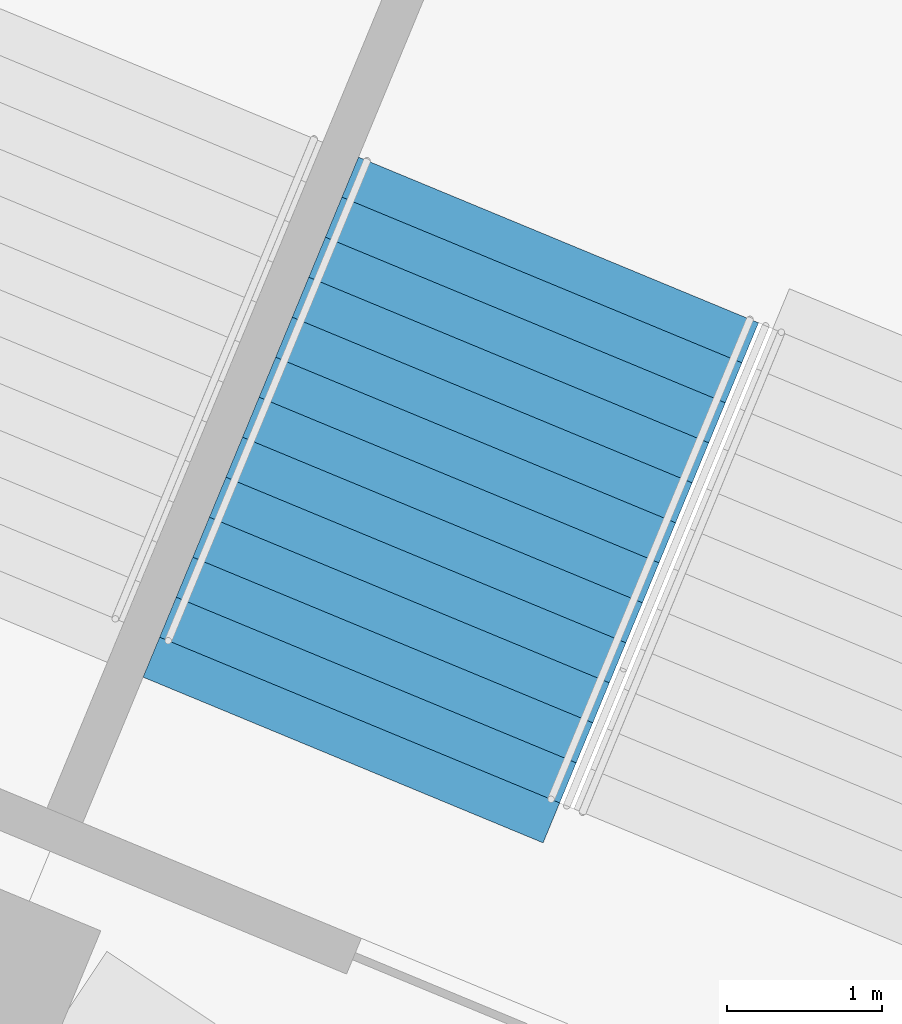
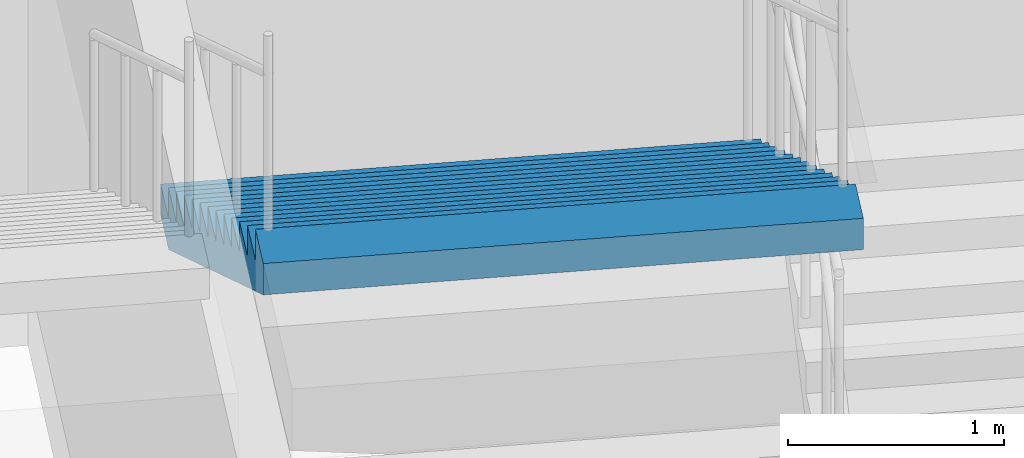
# One storey, part 181 of 199: 1 stair flight, 1 element without a shape of its own.
"""IFC4 building model written with IfcOpenShell, lengths in metres."""

from ifc_helpers import new_model, si_unit, direction, frame, origin, place, context, subcontext, project, spatial, faceted_brep, material, type_object, element, aggregate, save


model = new_model("IFC4")

# Units and contexts
model_context = context("Model", 3, precision=1e-05, world=origin(), true_north=direction((0.0, 1.0)))
body_context = subcontext(model_context, "Body", "Model", "MODEL_VIEW")
ifc_project = project(units=[si_unit("LENGTHUNIT", "METRE"), si_unit("AREAUNIT", "SQUARE_METRE"), si_unit("VOLUMEUNIT", "CUBIC_METRE"), si_unit("PLANEANGLEUNIT", "RADIAN"), si_unit("MASSUNIT", "GRAM", prefix="KILO")], contexts=[model_context])

# Site, building, storey
site_placement = place(None, origin())
site = spatial("IfcSite", under=ifc_project, at=site_placement, CompositionType="ELEMENT")
building_placement = place(site_placement, origin())
building = spatial("IfcBuilding", under=site, at=building_placement, Name="Ogive Plaza Stadium", CompositionType="ELEMENT")
storey_placement = place(building_placement, frame((0.0, 0.0, 9.0)))
storey = spatial("IfcBuildingStorey", under=building, at=storey_placement, Name="L02", CompositionType="ELEMENT", Elevation=9.0)

# Stair, stair flight
ifc_material_1 = material(Name="Concrete C40/50", Category="concrete")
stair_type = type_object("IfcStairType", Name="Exit stair", PredefinedType="STRAIGHT_RUN_STAIR", material=ifc_material_1)
stair_placement = place(storey_placement, origin())
stair = element("IfcStair", 1, at=stair_placement, inside=storey, type_object=stair_type, Name="Exit stair ST38A L02 to L03", PredefinedType="STRAIGHT_RUN_STAIR")
ifc_material_2 = material(Name="Concrete C40/50", Category="concrete")
stair_flight_type = type_object("IfcStairFlightType", Name="Exit stair flight", PredefinedType="STRAIGHT", material=ifc_material_2)
stair_flight_placement = place(storey_placement, frame((52.9013671875, 94.14697265625, 2.25), z_axis=(0.0, 0.0, 1.0), x_axis=(-0.382683432365, -0.923879532511, 0.0)))
stair_flight = element("IfcStairFlight", 2, at=stair_flight_placement, type_object=stair_flight_type, Name="ST38A flight 2", NumberOfRisers=13, NumberOfTreads=12, PredefinedType="STRAIGHT", RiserHeight=0.173076923, TreadLength=0.28, context=body_context, shape_type="Brep", body=[
    faceted_brep([(0.28515625, -1.39990234375, 0.0), (3.639892578125, -1.39990234375, 2.07373046875), (3.639892578125, -1.39990234375, 2.25), (3.360107421875, -1.39990234375, 2.25), (3.360107421875, -1.39990234375, 2.076904296875), (3.080078125, -1.39990234375, 2.076904296875), (3.080078125, -1.39990234375, 1.90380859375), (2.800048828125, -1.39990234375, 1.90380859375), (2.800048828125, -1.39990234375, 1.730712890625), (2.52001953125, -1.39990234375, 1.730712890625), (2.52001953125, -1.39990234375, 1.5576171875), (2.239990234375, -1.39990234375, 1.5576171875), (2.239990234375, -1.39990234375, 1.384521484375), (1.9599609375, -1.39990234375, 1.384521484375), (1.9599609375, -1.39990234375, 1.21142578125), (1.679931640625, -1.39990234375, 1.21142578125), (1.679931640625, -1.39990234375, 1.03857421875), (1.39990234375, -1.39990234375, 1.03857421875), (1.39990234375, -1.39990234375, 0.865478515625), (1.1201171875, -1.39990234375, 0.865478515625), (1.1201171875, -1.39990234375, 0.6923828125), (0.840087890625, -1.39990234375, 0.6923828125), (0.840087890625, -1.39990234375, 0.519287109375), (0.56005859375, -1.39990234375, 0.519287109375), (0.56005859375, -1.39990234375, 0.34619140625), (0.280029296875, -1.39990234375, 0.34619140625), (0.280029296875, -1.39990234375, 0.173095703125), (0.0, -1.39990234375, 0.173095703125), (0.0, -1.39990234375, 0.0), (0.0, 1.39990234375, 0.0), (0.0, 1.39990234375, 0.173095703125), (0.280029296875, 1.39990234375, 0.173095703125), (0.280029296875, 1.39990234375, 0.34619140625), (0.56005859375, 1.39990234375, 0.34619140625), (0.56005859375, 1.39990234375, 0.519287109375), (0.840087890625, 1.39990234375, 0.519287109375), (0.840087890625, 1.39990234375, 0.6923828125), (1.1201171875, 1.39990234375, 0.6923828125), (1.1201171875, 1.39990234375, 0.865478515625), (1.39990234375, 1.39990234375, 0.865478515625), (1.39990234375, 1.39990234375, 1.03857421875), (1.679931640625, 1.39990234375, 1.03857421875), (1.679931640625, 1.39990234375, 1.21142578125), (1.9599609375, 1.39990234375, 1.21142578125), (1.9599609375, 1.39990234375, 1.384521484375), (2.239990234375, 1.39990234375, 1.384521484375), (2.239990234375, 1.39990234375, 1.5576171875), (2.52001953125, 1.39990234375, 1.5576171875), (2.52001953125, 1.39990234375, 1.730712890625), (2.800048828125, 1.39990234375, 1.730712890625), (2.800048828125, 1.39990234375, 1.90380859375), (3.080078125, 1.39990234375, 1.90380859375), (3.080078125, 1.39990234375, 2.076904296875), (3.360107421875, 1.39990234375, 2.076904296875), (3.360107421875, 1.39990234375, 2.25), (3.639892578125, 1.39990234375, 2.25), (3.639892578125, 1.39990234375, 2.07373046875), (0.28515625, 1.39990234375, 0.0), (0.28515625, -1.0888671875, 0.0), (3.639892578125, -1.0888671875, 2.07373046875), (0.28515625, -0.77783203125, 0.0), (3.639892578125, -0.77783203125, 2.07373046875), (0.28515625, -0.466796875, 0.0), (3.639892578125, -0.466796875, 2.07373046875), (0.28515625, -0.155517578125, 0.0), (3.639892578125, -0.155517578125, 2.07373046875), (0.28515625, 0.155517578125, 0.0), (3.639892578125, 0.155517578125, 2.07373046875), (0.28515625, 0.466796875, 0.0), (3.639892578125, 0.466796875, 2.07373046875), (0.28515625, 0.77783203125, 0.0), (3.639892578125, 0.77783203125, 2.07373046875), (0.28515625, 1.0888671875, 0.0), (3.639892578125, 1.0888671875, 2.07373046875), (3.639892578125, -1.0888671875, 2.25), (3.639892578125, -0.77783203125, 2.25), (3.639892578125, -0.466796875, 2.25), (3.639892578125, -0.155517578125, 2.25), (3.639892578125, 0.155517578125, 2.25), (3.639892578125, 0.466796875, 2.25), (3.639892578125, 0.77783203125, 2.25), (3.639892578125, 1.0888671875, 2.25), (3.360107421875, -1.0888671875, 2.25), (3.360107421875, -0.77783203125, 2.25), (3.360107421875, -0.466796875, 2.25), (3.360107421875, -0.155517578125, 2.25), (3.360107421875, 0.155517578125, 2.25), (3.360107421875, 0.466796875, 2.25), (3.360107421875, 0.77783203125, 2.25), (3.360107421875, 1.0888671875, 2.25), (3.360107421875, -1.0888671875, 2.076904296875), (3.360107421875, -0.77783203125, 2.076904296875), (3.360107421875, -0.466796875, 2.076904296875), (3.360107421875, -0.155517578125, 2.076904296875), (3.360107421875, 0.155517578125, 2.076904296875), (3.360107421875, 0.466796875, 2.076904296875), (3.360107421875, 0.77783203125, 2.076904296875), (3.360107421875, 1.0888671875, 2.076904296875), (3.080078125, -1.0888671875, 2.076904296875), (3.080078125, -0.77783203125, 2.076904296875), (3.080078125, -0.466796875, 2.076904296875), (3.080078125, -0.155517578125, 2.076904296875), (3.080078125, 0.155517578125, 2.076904296875), (3.080078125, 0.466796875, 2.076904296875), (3.080078125, 0.77783203125, 2.076904296875), (3.080078125, 1.0888671875, 2.076904296875), (3.080078125, -1.0888671875, 1.90380859375), (3.080078125, -0.77783203125, 1.90380859375), (3.080078125, -0.466796875, 1.90380859375), (3.080078125, -0.155517578125, 1.90380859375), (3.080078125, 0.155517578125, 1.90380859375), (3.080078125, 0.466796875, 1.90380859375), (3.080078125, 0.77783203125, 1.90380859375), (3.080078125, 1.0888671875, 1.90380859375), (2.800048828125, -1.0888671875, 1.90380859375), (2.800048828125, -0.77783203125, 1.90380859375), (2.800048828125, -0.466796875, 1.90380859375), (2.800048828125, -0.155517578125, 1.90380859375), (2.800048828125, 0.155517578125, 1.90380859375), (2.800048828125, 0.466796875, 1.90380859375), (2.800048828125, 0.77783203125, 1.90380859375), (2.800048828125, 1.0888671875, 1.90380859375), (2.800048828125, -1.0888671875, 1.730712890625), (2.800048828125, -0.77783203125, 1.730712890625), (2.800048828125, -0.466796875, 1.730712890625), (2.800048828125, -0.155517578125, 1.730712890625), (2.800048828125, 0.155517578125, 1.730712890625), (2.800048828125, 0.466796875, 1.730712890625), (2.800048828125, 0.77783203125, 1.730712890625), (2.800048828125, 1.0888671875, 1.730712890625), (2.52001953125, -1.0888671875, 1.730712890625), (2.52001953125, -0.77783203125, 1.730712890625), (2.52001953125, -0.466796875, 1.730712890625), (2.52001953125, -0.155517578125, 1.730712890625), (2.52001953125, 0.155517578125, 1.730712890625), (2.52001953125, 0.466796875, 1.730712890625), (2.52001953125, 0.77783203125, 1.730712890625), (2.52001953125, 1.0888671875, 1.730712890625), (2.52001953125, -1.0888671875, 1.5576171875), (2.52001953125, -0.77783203125, 1.5576171875), (2.52001953125, -0.466796875, 1.5576171875), (2.52001953125, -0.155517578125, 1.5576171875), (2.52001953125, 0.155517578125, 1.5576171875), (2.52001953125, 0.466796875, 1.5576171875), (2.52001953125, 0.77783203125, 1.5576171875), (2.52001953125, 1.0888671875, 1.5576171875), (2.239990234375, -1.0888671875, 1.5576171875), (2.239990234375, -0.77783203125, 1.5576171875), (2.239990234375, -0.466796875, 1.5576171875), (2.239990234375, -0.155517578125, 1.5576171875), (2.239990234375, 0.155517578125, 1.5576171875), (2.239990234375, 0.466796875, 1.5576171875), (2.239990234375, 0.77783203125, 1.5576171875), (2.239990234375, 1.0888671875, 1.5576171875), (2.239990234375, -1.0888671875, 1.384521484375), (2.239990234375, -0.77783203125, 1.384521484375), (2.239990234375, -0.466796875, 1.384521484375), (2.239990234375, -0.155517578125, 1.384521484375), (2.239990234375, 0.155517578125, 1.384521484375), (2.239990234375, 0.466796875, 1.384521484375), (2.239990234375, 0.77783203125, 1.384521484375), (2.239990234375, 1.0888671875, 1.384521484375), (1.9599609375, -1.0888671875, 1.384521484375), (1.9599609375, -0.77783203125, 1.384521484375), (1.9599609375, -0.466796875, 1.384521484375), (1.9599609375, -0.155517578125, 1.384521484375), (1.9599609375, 0.155517578125, 1.384521484375), (1.9599609375, 0.466796875, 1.384521484375), (1.9599609375, 0.77783203125, 1.384521484375), (1.9599609375, 1.0888671875, 1.384521484375), (1.9599609375, -1.0888671875, 1.21142578125), (1.9599609375, -0.77783203125, 1.21142578125), (1.9599609375, -0.466796875, 1.21142578125), (1.9599609375, -0.155517578125, 1.21142578125), (1.9599609375, 0.155517578125, 1.21142578125), (1.9599609375, 0.466796875, 1.21142578125), (1.9599609375, 0.77783203125, 1.21142578125), (1.9599609375, 1.0888671875, 1.21142578125), (1.679931640625, -1.0888671875, 1.21142578125), (1.679931640625, -0.77783203125, 1.21142578125), (1.679931640625, -0.466796875, 1.21142578125), (1.679931640625, -0.155517578125, 1.21142578125), (1.679931640625, 0.155517578125, 1.21142578125), (1.679931640625, 0.466796875, 1.21142578125), (1.679931640625, 0.77783203125, 1.21142578125), (1.679931640625, 1.0888671875, 1.21142578125), (1.679931640625, -1.0888671875, 1.03857421875), (1.679931640625, -0.77783203125, 1.03857421875), (1.679931640625, -0.466796875, 1.03857421875), (1.679931640625, -0.155517578125, 1.03857421875), (1.679931640625, 0.155517578125, 1.03857421875), (1.679931640625, 0.466796875, 1.03857421875), (1.679931640625, 0.77783203125, 1.03857421875), (1.679931640625, 1.0888671875, 1.03857421875), (1.39990234375, -1.0888671875, 1.03857421875), (1.39990234375, -0.77783203125, 1.03857421875), (1.39990234375, -0.466796875, 1.03857421875), (1.39990234375, -0.155517578125, 1.03857421875), (1.39990234375, 0.155517578125, 1.03857421875), (1.39990234375, 0.466796875, 1.03857421875), (1.39990234375, 0.77783203125, 1.03857421875), (1.39990234375, 1.0888671875, 1.03857421875), (1.39990234375, -1.0888671875, 0.865478515625), (1.39990234375, -0.77783203125, 0.865478515625), (1.39990234375, -0.466796875, 0.865478515625), (1.39990234375, -0.155517578125, 0.865478515625), (1.39990234375, 0.155517578125, 0.865478515625), (1.39990234375, 0.466796875, 0.865478515625), (1.39990234375, 0.77783203125, 0.865478515625), (1.39990234375, 1.0888671875, 0.865478515625), (1.1201171875, -1.0888671875, 0.865478515625), (1.1201171875, -0.77783203125, 0.865478515625), (1.1201171875, -0.466796875, 0.865478515625), (1.1201171875, -0.155517578125, 0.865478515625), (1.1201171875, 0.155517578125, 0.865478515625), (1.1201171875, 0.466796875, 0.865478515625), (1.1201171875, 0.77783203125, 0.865478515625), (1.1201171875, 1.0888671875, 0.865478515625), (1.1201171875, -1.0888671875, 0.6923828125), (1.1201171875, -0.77783203125, 0.6923828125), (1.1201171875, -0.466796875, 0.6923828125), (1.1201171875, -0.155517578125, 0.6923828125), (1.1201171875, 0.155517578125, 0.6923828125), (1.1201171875, 0.466796875, 0.6923828125), (1.1201171875, 0.77783203125, 0.6923828125), (1.1201171875, 1.0888671875, 0.6923828125), (0.840087890625, -1.0888671875, 0.6923828125), (0.840087890625, -0.77783203125, 0.6923828125), (0.840087890625, -0.466796875, 0.6923828125), (0.840087890625, -0.155517578125, 0.6923828125), (0.840087890625, 0.155517578125, 0.6923828125), (0.840087890625, 0.466796875, 0.6923828125), (0.840087890625, 0.77783203125, 0.6923828125), (0.840087890625, 1.0888671875, 0.6923828125), (0.840087890625, -1.0888671875, 0.519287109375), (0.840087890625, -0.77783203125, 0.519287109375), (0.840087890625, -0.466796875, 0.519287109375), (0.840087890625, -0.155517578125, 0.519287109375), (0.840087890625, 0.155517578125, 0.519287109375), (0.840087890625, 0.466796875, 0.519287109375), (0.840087890625, 0.77783203125, 0.519287109375), (0.840087890625, 1.0888671875, 0.519287109375), (0.56005859375, -1.0888671875, 0.519287109375), (0.56005859375, -0.77783203125, 0.519287109375), (0.56005859375, -0.466796875, 0.519287109375), (0.56005859375, -0.155517578125, 0.519287109375), (0.56005859375, 0.155517578125, 0.519287109375), (0.56005859375, 0.466796875, 0.519287109375), (0.56005859375, 0.77783203125, 0.519287109375), (0.56005859375, 1.0888671875, 0.519287109375), (0.56005859375, -1.0888671875, 0.34619140625), (0.56005859375, -0.77783203125, 0.34619140625), (0.56005859375, -0.466796875, 0.34619140625), (0.56005859375, -0.155517578125, 0.34619140625), (0.56005859375, 0.155517578125, 0.34619140625), (0.56005859375, 0.466796875, 0.34619140625), (0.56005859375, 0.77783203125, 0.34619140625), (0.56005859375, 1.0888671875, 0.34619140625), (0.280029296875, -1.0888671875, 0.34619140625), (0.280029296875, -0.77783203125, 0.34619140625), (0.280029296875, -0.466796875, 0.34619140625), (0.280029296875, -0.155517578125, 0.34619140625), (0.280029296875, 0.155517578125, 0.34619140625), (0.280029296875, 0.466796875, 0.34619140625), (0.280029296875, 0.77783203125, 0.34619140625), (0.280029296875, 1.0888671875, 0.34619140625), (0.280029296875, -1.0888671875, 0.173095703125), (0.280029296875, -0.77783203125, 0.173095703125), (0.280029296875, -0.466796875, 0.173095703125), (0.280029296875, -0.155517578125, 0.173095703125), (0.280029296875, 0.155517578125, 0.173095703125), (0.280029296875, 0.466796875, 0.173095703125), (0.280029296875, 0.77783203125, 0.173095703125), (0.280029296875, 1.0888671875, 0.173095703125), (0.0, -1.0888671875, 0.173095703125), (0.0, -0.77783203125, 0.173095703125), (0.0, -0.466796875, 0.173095703125), (0.0, -0.155517578125, 0.173095703125), (0.0, 0.155517578125, 0.173095703125), (0.0, 0.466796875, 0.173095703125), (0.0, 0.77783203125, 0.173095703125), (0.0, 1.0888671875, 0.173095703125), (0.0, -1.0888671875, 0.0), (0.0, -0.77783203125, 0.0), (0.0, -0.466796875, 0.0), (0.0, -0.155517578125, 0.0), (0.0, 0.155517578125, 0.0), (0.0, 0.466796875, 0.0), (0.0, 0.77783203125, 0.0), (0.0, 1.0888671875, 0.0)], [[[0, 1, 2, 3, 4, 5, 6, 7, 8, 9, 10, 11, 12, 13, 14, 15, 16, 17, 18, 19, 20, 21, 22, 23, 24, 25, 26, 27, 28]], [[29, 30, 31, 32, 33, 34, 35, 36, 37, 38, 39, 40, 41, 42, 43, 44, 45, 46, 47, 48, 49, 50, 51, 52, 53, 54, 55, 56, 57]], [[0, 58, 59, 1]], [[58, 60, 61, 59]], [[60, 62, 63, 61]], [[62, 64, 65, 63]], [[64, 66, 67, 65]], [[66, 68, 69, 67]], [[68, 70, 71, 69]], [[70, 72, 73, 71]], [[72, 57, 56, 73]], [[1, 59, 74, 2]], [[59, 61, 75, 74]], [[61, 63, 76, 75]], [[63, 65, 77, 76]], [[65, 67, 78, 77]], [[67, 69, 79, 78]], [[69, 71, 80, 79]], [[71, 73, 81, 80]], [[73, 56, 55, 81]], [[2, 74, 82, 3]], [[74, 75, 83, 82]], [[75, 76, 84, 83]], [[76, 77, 85, 84]], [[77, 78, 86, 85]], [[78, 79, 87, 86]], [[79, 80, 88, 87]], [[80, 81, 89, 88]], [[81, 55, 54, 89]], [[3, 82, 90, 4]], [[82, 83, 91, 90]], [[83, 84, 92, 91]], [[84, 85, 93, 92]], [[85, 86, 94, 93]], [[86, 87, 95, 94]], [[87, 88, 96, 95]], [[88, 89, 97, 96]], [[89, 54, 53, 97]], [[4, 90, 98, 5]], [[90, 91, 99, 98]], [[91, 92, 100, 99]], [[92, 93, 101, 100]], [[93, 94, 102, 101]], [[94, 95, 103, 102]], [[95, 96, 104, 103]], [[96, 97, 105, 104]], [[97, 53, 52, 105]], [[5, 98, 106, 6]], [[98, 99, 107, 106]], [[99, 100, 108, 107]], [[100, 101, 109, 108]], [[101, 102, 110, 109]], [[102, 103, 111, 110]], [[103, 104, 112, 111]], [[104, 105, 113, 112]], [[105, 52, 51, 113]], [[6, 106, 114, 7]], [[106, 107, 115, 114]], [[107, 108, 116, 115]], [[108, 109, 117, 116]], [[109, 110, 118, 117]], [[110, 111, 119, 118]], [[111, 112, 120, 119]], [[112, 113, 121, 120]], [[113, 51, 50, 121]], [[7, 114, 122, 8]], [[114, 115, 123, 122]], [[115, 116, 124, 123]], [[116, 117, 125, 124]], [[117, 118, 126, 125]], [[118, 119, 127, 126]], [[119, 120, 128, 127]], [[120, 121, 129, 128]], [[121, 50, 49, 129]], [[8, 122, 130, 9]], [[122, 123, 131, 130]], [[123, 124, 132, 131]], [[124, 125, 133, 132]], [[125, 126, 134, 133]], [[126, 127, 135, 134]], [[127, 128, 136, 135]], [[128, 129, 137, 136]], [[129, 49, 48, 137]], [[9, 130, 138, 10]], [[130, 131, 139, 138]], [[131, 132, 140, 139]], [[132, 133, 141, 140]], [[133, 134, 142, 141]], [[134, 135, 143, 142]], [[135, 136, 144, 143]], [[136, 137, 145, 144]], [[137, 48, 47, 145]], [[10, 138, 146, 11]], [[138, 139, 147, 146]], [[139, 140, 148, 147]], [[140, 141, 149, 148]], [[141, 142, 150, 149]], [[142, 143, 151, 150]], [[143, 144, 152, 151]], [[144, 145, 153, 152]], [[145, 47, 46, 153]], [[11, 146, 154, 12]], [[146, 147, 155, 154]], [[147, 148, 156, 155]], [[148, 149, 157, 156]], [[149, 150, 158, 157]], [[150, 151, 159, 158]], [[151, 152, 160, 159]], [[152, 153, 161, 160]], [[153, 46, 45, 161]], [[12, 154, 162, 13]], [[154, 155, 163, 162]], [[155, 156, 164, 163]], [[156, 157, 165, 164]], [[157, 158, 166, 165]], [[158, 159, 167, 166]], [[159, 160, 168, 167]], [[160, 161, 169, 168]], [[161, 45, 44, 169]], [[13, 162, 170, 14]], [[162, 163, 171, 170]], [[163, 164, 172, 171]], [[164, 165, 173, 172]], [[165, 166, 174, 173]], [[166, 167, 175, 174]], [[167, 168, 176, 175]], [[168, 169, 177, 176]], [[169, 44, 43, 177]], [[14, 170, 178, 15]], [[170, 171, 179, 178]], [[171, 172, 180, 179]], [[172, 173, 181, 180]], [[173, 174, 182, 181]], [[174, 175, 183, 182]], [[175, 176, 184, 183]], [[176, 177, 185, 184]], [[177, 43, 42, 185]], [[15, 178, 186, 16]], [[178, 179, 187, 186]], [[179, 180, 188, 187]], [[180, 181, 189, 188]], [[181, 182, 190, 189]], [[182, 183, 191, 190]], [[183, 184, 192, 191]], [[184, 185, 193, 192]], [[185, 42, 41, 193]], [[16, 186, 194, 17]], [[186, 187, 195, 194]], [[187, 188, 196, 195]], [[188, 189, 197, 196]], [[189, 190, 198, 197]], [[190, 191, 199, 198]], [[191, 192, 200, 199]], [[192, 193, 201, 200]], [[193, 41, 40, 201]], [[17, 194, 202, 18]], [[194, 195, 203, 202]], [[195, 196, 204, 203]], [[196, 197, 205, 204]], [[197, 198, 206, 205]], [[198, 199, 207, 206]], [[199, 200, 208, 207]], [[200, 201, 209, 208]], [[201, 40, 39, 209]], [[18, 202, 210, 19]], [[202, 203, 211, 210]], [[203, 204, 212, 211]], [[204, 205, 213, 212]], [[205, 206, 214, 213]], [[206, 207, 215, 214]], [[207, 208, 216, 215]], [[208, 209, 217, 216]], [[209, 39, 38, 217]], [[19, 210, 218, 20]], [[210, 211, 219, 218]], [[211, 212, 220, 219]], [[212, 213, 221, 220]], [[213, 214, 222, 221]], [[214, 215, 223, 222]], [[215, 216, 224, 223]], [[216, 217, 225, 224]], [[217, 38, 37, 225]], [[20, 218, 226, 21]], [[218, 219, 227, 226]], [[219, 220, 228, 227]], [[220, 221, 229, 228]], [[221, 222, 230, 229]], [[222, 223, 231, 230]], [[223, 224, 232, 231]], [[224, 225, 233, 232]], [[225, 37, 36, 233]], [[21, 226, 234, 22]], [[226, 227, 235, 234]], [[227, 228, 236, 235]], [[228, 229, 237, 236]], [[229, 230, 238, 237]], [[230, 231, 239, 238]], [[231, 232, 240, 239]], [[232, 233, 241, 240]], [[233, 36, 35, 241]], [[22, 234, 242, 23]], [[234, 235, 243, 242]], [[235, 236, 244, 243]], [[236, 237, 245, 244]], [[237, 238, 246, 245]], [[238, 239, 247, 246]], [[239, 240, 248, 247]], [[240, 241, 249, 248]], [[241, 35, 34, 249]], [[23, 242, 250, 24]], [[242, 243, 251, 250]], [[243, 244, 252, 251]], [[244, 245, 253, 252]], [[245, 246, 254, 253]], [[246, 247, 255, 254]], [[247, 248, 256, 255]], [[248, 249, 257, 256]], [[249, 34, 33, 257]], [[24, 250, 258, 25]], [[250, 251, 259, 258]], [[251, 252, 260, 259]], [[252, 253, 261, 260]], [[253, 254, 262, 261]], [[254, 255, 263, 262]], [[255, 256, 264, 263]], [[256, 257, 265, 264]], [[257, 33, 32, 265]], [[25, 258, 266, 26]], [[258, 259, 267, 266]], [[259, 260, 268, 267]], [[260, 261, 269, 268]], [[261, 262, 270, 269]], [[262, 263, 271, 270]], [[263, 264, 272, 271]], [[264, 265, 273, 272]], [[265, 32, 31, 273]], [[26, 266, 274, 27]], [[266, 267, 275, 274]], [[267, 268, 276, 275]], [[268, 269, 277, 276]], [[269, 270, 278, 277]], [[270, 271, 279, 278]], [[271, 272, 280, 279]], [[272, 273, 281, 280]], [[273, 31, 30, 281]], [[27, 274, 282, 28]], [[274, 275, 283, 282]], [[275, 276, 284, 283]], [[276, 277, 285, 284]], [[277, 278, 286, 285]], [[278, 279, 287, 286]], [[279, 280, 288, 287]], [[280, 281, 289, 288]], [[281, 30, 29, 289]], [[28, 282, 58, 0]], [[282, 283, 60, 58]], [[283, 284, 62, 60]], [[284, 285, 64, 62]], [[285, 286, 66, 64]], [[286, 287, 68, 66]], [[287, 288, 70, 68]], [[288, 289, 72, 70]], [[289, 29, 57, 72]]]),
])
aggregate(stair, [stair_flight])

save(model, "model.ifc")
